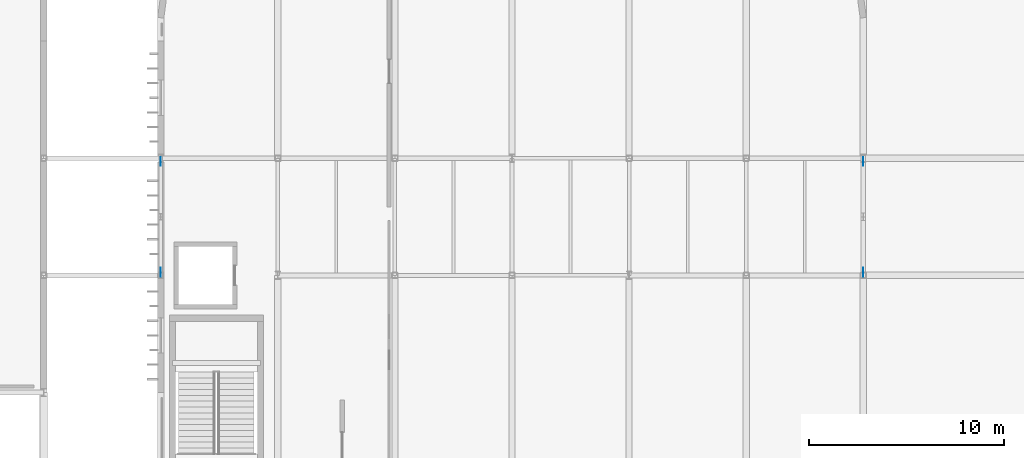
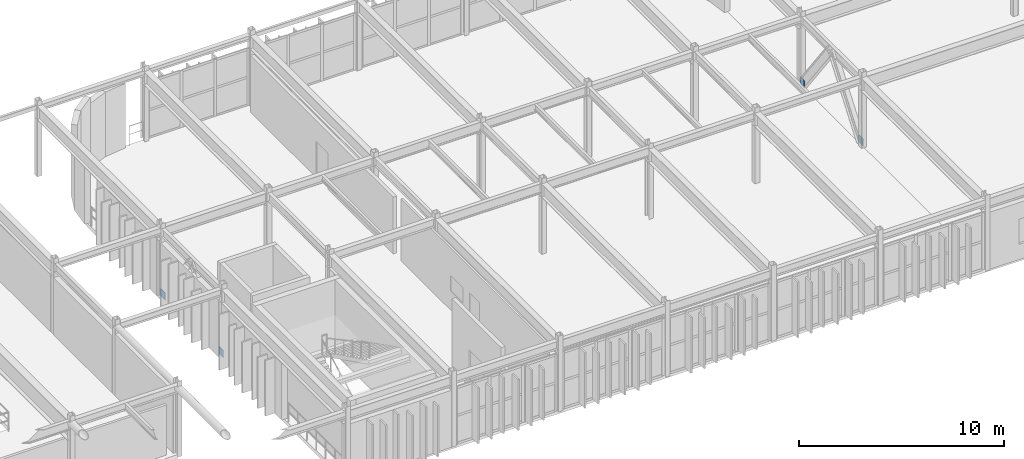
# One storey, part 78 of 96: 4 discrete accessories.
"""IFC4 building model written with IfcOpenShell, lengths in metres."""

from ifc_helpers import new_model, si_unit, direction, frame, origin, origin_2d, place, context, subcontext, project, spatial, rectangle, extrude, material, layer, layer_set, type_object, element, save


model = new_model("IFC4")

# Units and contexts
model_context = context("Model", 3, precision=1e-05, world=origin(), true_north=direction((0.0, 1.0)))
body_context = subcontext(model_context, "Body", "Model", "MODEL_VIEW")
ifc_project = project(units=[si_unit("LENGTHUNIT", "METRE"), si_unit("AREAUNIT", "SQUARE_METRE"), si_unit("VOLUMEUNIT", "CUBIC_METRE"), si_unit("PLANEANGLEUNIT", "RADIAN"), si_unit("MASSUNIT", "GRAM", prefix="KILO")], contexts=[model_context])

# Site, building, storey
site_placement = place(None, origin())
site = spatial("IfcSite", under=ifc_project, at=site_placement, CompositionType="ELEMENT")
building_placement = place(site_placement, origin())
building = spatial("IfcBuilding", under=site, at=building_placement, Name="Varnakota Square Police Headquarters", CompositionType="ELEMENT")
storey_placement = place(building_placement, frame((0.0, 0.0, 4.800048828125)))
storey = spatial("IfcBuildingStorey", under=building, at=storey_placement, Name="L01", CompositionType="ELEMENT", Elevation=4.800048828125)

# Discrete accessories
ifc_material = material(Name="Steel IS 2062 Grade 350", Category="steel")
ifc_layer = layer(ifc_material, 0.64990234375, Name="Steel IS 2062 Grade 350")
ifc_layer_set = layer_set([ifc_layer], Name="Steel IS 2062 Grade 350")
discrete_accessory_type = type_object("IfcDiscreteAccessoryType", Name="ACC-EMB-350", PredefinedType="BRACKET", material=ifc_layer_set)
for number, where, z_axis, x_axis, name in (
    (1, (60.0, 81.159912109375, 0.02490234375), (0.0, 0.0, 1.0), (0.0, 1.0, 0.0), "Brace gusset connection plate BF5 L01 L"),
    (2, (60.0, 86.840087890625, 0.02490234375), (0.0, 0.0, 1.0), (0.0, 1.0, 0.0), "Brace gusset connection plate BF5 L01 R"),
    (3, (96.0, 81.159912109375, 0.02490234375), (0.0, 0.0, 1.0), (0.0, 1.0, 0.0), "Brace gusset connection plate BF6 L01 L"),
    (4, (96.0, 86.840087890625, 0.02490234375), (0.0, 0.0, 1.0), (0.0, 1.0, 0.0), "Brace gusset connection plate BF6 L01 R"),
):
    element("IfcDiscreteAccessory", number, at=place(storey_placement, frame(where, z_axis=z_axis, x_axis=x_axis)), inside=storey, type_object=discrete_accessory_type, Name=name, PredefinedType="BRACKET", context=body_context, shape_type="SweptSolid", body=[
        extrude(rectangle(XDim=0.43994140625, YDim=0.02001953125, at=origin_2d()), origin(), (0.0, 0.0, 1.0), 0.449951171875),
    ])

save(model, "model.ifc")
